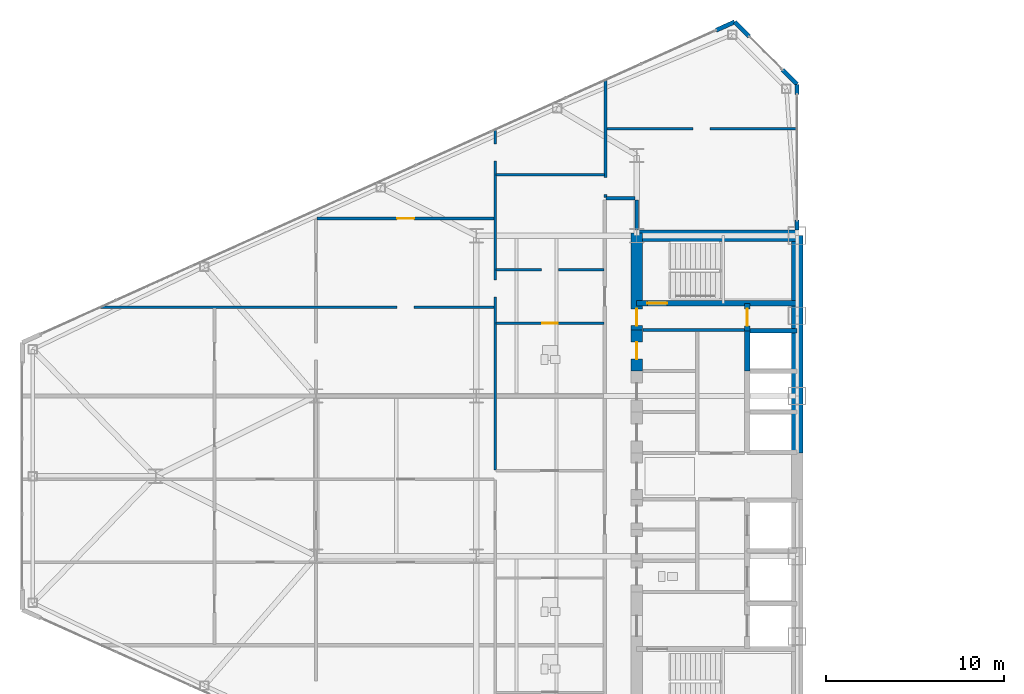
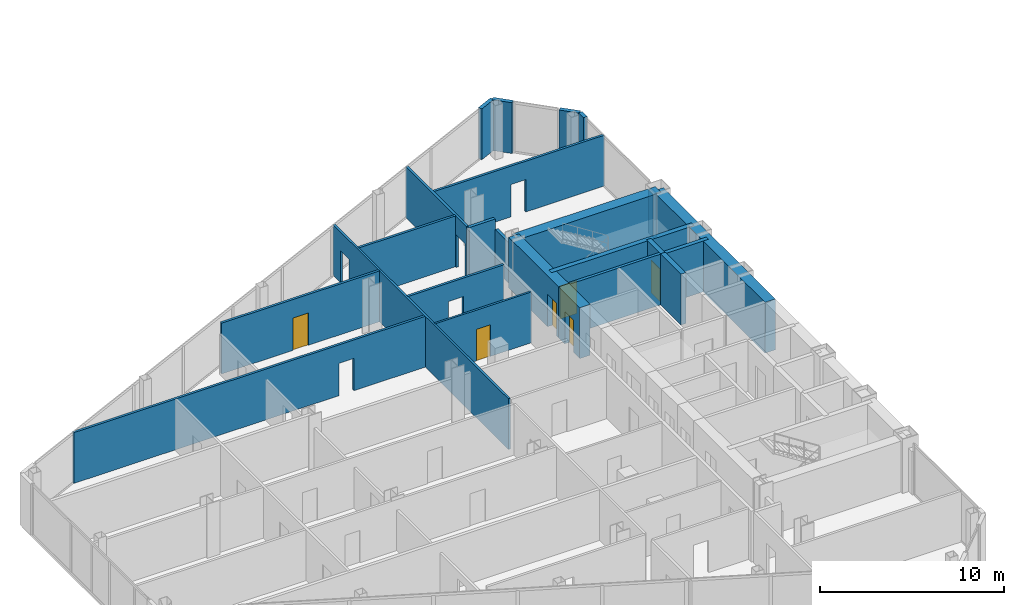
# One storey, part 21 of 27: 24 walls, 6 doors, 12 openings.
"""IFC4 building model written with IfcOpenShell, lengths in metres."""

from ifc_helpers import new_model, si_unit, direction, frame, frame_2d, origin, place, context, subcontext, project, spatial, rectangle, extrude, source, transform, mapped, material, layer, layer_set, type_object, type_shapes, element, fill, save


model = new_model("IFC4")

# Units and contexts
model_context = context("Model", 3, precision=1e-05, world=origin(), true_north=direction((0.0, 1.0)))
body_context = subcontext(model_context, "Body", "Model", "MODEL_VIEW")
ifc_project = project(units=[si_unit("LENGTHUNIT", "METRE"), si_unit("AREAUNIT", "SQUARE_METRE"), si_unit("VOLUMEUNIT", "CUBIC_METRE"), si_unit("PLANEANGLEUNIT", "RADIAN"), si_unit("MASSUNIT", "GRAM", prefix="KILO")], contexts=[model_context])

# Site, building, storey
site_placement = place(None, origin())
site = spatial("IfcSite", under=ifc_project, at=site_placement, CompositionType="ELEMENT")
building_placement = place(site_placement, origin())
building = spatial("IfcBuilding", under=site, at=building_placement, Name="Seokmaru Belvedere", CompositionType="ELEMENT")
storey_placement = place(building_placement, frame((0.0, 0.0, 76.5)))
storey = spatial("IfcBuildingStorey", under=building, at=storey_placement, Name="L20", CompositionType="ELEMENT", Elevation=76.5)

# Wall, opening
ifc_material_1 = material(Name="Fire-Rated Gypsum Shaftwall")
ifc_layer_1 = layer(ifc_material_1, 0.14990234375)
ifc_layer_set_1 = layer_set([ifc_layer_1], Name="Fire-Rated Gypsum Shaftwall")
wall_type_1 = type_object("IfcWallType", Name="Apartment Fire-Acoustic Room Partition 150", PredefinedType="PARTITIONING", material=ifc_layer_set_1)
wall_1_placement = place(storey_placement, frame((-66.62890625, 9.47998046875, 0.0), z_axis=(0.0, 0.0, 1.0), x_axis=(1.0, 0.0, 0.0)))
wall_1 = element("IfcWall", 1, at=wall_1_placement, inside=storey, type_object=wall_type_1, Name="L20 Interior Partition 021", PredefinedType="PARTITIONING", context=body_context, shape_type="SweptSolid", body=[
    extrude(rectangle(XDim=22.12890625, YDim=0.14990234375, at=frame_2d((11.064453125, 0.0))), origin(), (0.0, 0.0, 1.0), 3.3798828125),
])
opening_1_placement = place(wall_1_placement, frame((16.678955078125, 0.0, 0.0)))
element("IfcOpeningElement", 2, at=opening_1_placement, cuts=wall_1, Name="L20 Cased Opening 026", PredefinedType="OPENING", context=body_context, shape_type="SweptSolid", body=[
    extrude(rectangle(XDim=0.949951171875, YDim=2.14990234375, at=frame_2d((0.47509765625, 1.074951171875))), frame((0.0, 0.0849609375, 0.0), z_axis=(0.0, -1.0, 0.0), x_axis=(1.0, 0.0, 0.0)), (0.0, 0.0, 1.0), 0.169921875),
])

wall_2_placement = place(storey_placement, frame((-44.39990234375, 11.580078125, 0.0), z_axis=(0.0, 0.0, 1.0), x_axis=(1.0, 0.0, 0.0)))
wall_2 = element("IfcWall", 3, at=wall_2_placement, inside=storey, type_object=wall_type_1, Name="L20 Interior Partition 023", PredefinedType="PARTITIONING", context=body_context, shape_type="SweptSolid", body=[
    extrude(rectangle(XDim=6.0498046875, YDim=0.14990234375, at=frame_2d((3.02490234375, 0.0))), origin(), (0.0, 0.0, 1.0), 3.3798828125),
])
opening_2_placement = place(wall_2_placement, frame((2.550048828125, 0.0, 0.0)))
element("IfcOpeningElement", 4, at=opening_2_placement, cuts=wall_2, Name="L20 Cased Opening 023", PredefinedType="OPENING", context=body_context, shape_type="SweptSolid", body=[
    extrude(rectangle(XDim=0.949951171875, YDim=2.14990234375, at=frame_2d((0.47509765625, 1.074951171875))), frame((0.0, 0.0849609375, 0.0), z_axis=(0.0, -1.0, 0.0), x_axis=(1.0, 0.0, 0.0)), (0.0, 0.0, 1.0), 0.169921875),
])

# Wall, opening, door
wall_3_placement = place(storey_placement, frame((-54.449951171875, 14.4599609375, 0.0), z_axis=(0.0, 0.0, 1.0), x_axis=(1.0, 0.0, 0.0)))
wall_3 = element("IfcWall", 5, at=wall_3_placement, inside=storey, type_object=wall_type_1, Name="L20 Interior Partition 025", PredefinedType="PARTITIONING", context=body_context, shape_type="SweptSolid", body=[
    extrude(rectangle(XDim=9.949951171875, YDim=0.14990234375, at=frame_2d((4.97509765625, 0.0))), origin(), (0.0, 0.0, 1.0), 3.3798828125),
])
opening_3_placement = place(wall_3_placement, frame((4.5, 0.0, 0.0)))
opening_3 = element("IfcOpeningElement", 6, at=opening_3_placement, cuts=wall_3, Name="Opening D05", PredefinedType="OPENING", context=body_context, shape_type="SweptSolid", body=[
    extrude(rectangle(XDim=0.949951171875, YDim=2.14990234375, at=frame_2d((0.47509765625, 1.074951171875))), frame((0.0, 0.0849609375, 0.0), z_axis=(0.0, -1.0, 0.0), x_axis=(1.0, 0.0, 0.0)), (0.0, 0.0, 1.0), 0.169921875),
])
ifc_material_2 = material(Name="Engineered White Oak Timber", Category="wood")
door_type_1 = type_object("IfcDoorType", Name="Apartment Interior Fire-Rated Oak Door 950x2150", OperationType="NOTDEFINED", PredefinedType="DOOR", material=ifc_material_2)
shared_shape_1 = source(origin(), body_context, "Body", "SweptSolid", [
    extrude(rectangle(XDim=0.949951171875, YDim=2.14990234375, at=frame_2d((0.47509765625, 1.074951171875))), frame((0.0, 0.02490234375, 0.0), z_axis=(0.0, -1.0, 0.0), x_axis=(1.0, 0.0, 0.0)), (0.0, 0.0, 1.0), 0.050048828125),
])
type_shapes(door_type_1, [shared_shape_1])
door_1_placement = place(opening_3_placement, origin())
door_1 = element("IfcDoor", 7, at=door_1_placement, inside=storey, type_object=door_type_1, Name="L20 Interior Door 027", OperationType="SINGLE_SWING_RIGHT", OverallHeight=2.14990234375, OverallWidth=0.949951171875, PredefinedType="DOOR", context=body_context, shape_type="MappedRepresentation", body=[
    mapped(shared_shape_1, transform((0.0, 0.0, 0.0), scale=1.0)),
])
fill(opening_3, door_1)

# Wall
wall_4_placement = place(storey_placement, frame((-44.39990234375, 16.909912109375, 0.0), z_axis=(0.0, 0.0, 1.0), x_axis=(1.0, 0.0, 0.0)))
element("IfcWall", 8, at=wall_4_placement, inside=storey, type_object=wall_type_1, Name="L20 Interior Partition 030", PredefinedType="PARTITIONING", context=body_context, shape_type="SweptSolid", body=[
    extrude(rectangle(XDim=6.099853515625, YDim=0.14990234375, at=frame_2d((3.0498046875, 0.0))), origin(), (0.0, 0.0, 1.0), 3.3798828125),
])

# Wall, opening
wall_5_placement = place(storey_placement, frame((-38.199951171875, 19.5, 0.0), z_axis=(0.0, 0.0, 1.0), x_axis=(1.0, 0.0, 0.0)))
wall_5 = element("IfcWall", 9, at=wall_5_placement, inside=storey, type_object=wall_type_1, Name="L20 Interior Partition 031", PredefinedType="PARTITIONING", context=body_context, shape_type="SweptSolid", body=[
    extrude(rectangle(XDim=10.73486328125, YDim=0.14990234375, at=frame_2d((5.367431640625, 0.0))), origin(), (0.0, 0.0, 1.0), 3.3798828125),
])
opening_4_placement = place(wall_5_placement, frame((4.85009765625, 0.0, 0.0)))
element("IfcOpeningElement", 10, at=opening_4_placement, cuts=wall_5, Name="L20 Cased Opening 032", PredefinedType="OPENING", context=body_context, shape_type="SweptSolid", body=[
    extrude(rectangle(XDim=0.949951171875, YDim=2.14990234375, at=frame_2d((0.47509765625, 1.074951171875))), frame((0.0, 0.0849609375, 0.0), z_axis=(0.0, -1.0, 0.0), x_axis=(1.0, 0.0, 0.0)), (0.0, 0.0, 1.0), 0.169921875),
])

wall_6_placement = place(storey_placement, frame((-38.25, 15.64990234375, 0.0), z_axis=(0.0, 0.0, 1.0), x_axis=(0.0, 1.0, 0.0)))
wall_6 = element("IfcWall", 11, at=wall_6_placement, inside=storey, type_object=wall_type_1, Name="L20 Interior Partition 040", PredefinedType="PARTITIONING", context=body_context, shape_type="SweptSolid", body=[
    extrude(rectangle(XDim=6.623046875, YDim=0.14990234375, at=frame_2d((3.3115234375, 0.0))), origin(), (0.0, 0.0, 1.0), 3.3798828125),
])
opening_5_placement = place(wall_6_placement, frame((0.159912109375, 0.0, 0.0)))
element("IfcOpeningElement", 12, at=opening_5_placement, cuts=wall_6, Name="L20 Cased Opening 031", PredefinedType="OPENING", context=body_context, shape_type="SweptSolid", body=[
    extrude(rectangle(XDim=0.949951171875, YDim=2.14990234375, at=frame_2d((0.47509765625, 1.074951171875))), frame((0.0, 0.0849609375, 0.0), z_axis=(0.0, -1.0, 0.0), x_axis=(1.0, 0.0, 0.0)), (0.0, 0.0, 1.0), 0.169921875),
])

# Walls
ifc_layer_2 = layer(ifc_material_1, 0.179931640625)
ifc_layer_set_2 = layer_set([ifc_layer_2], Name="Fire-Rated Gypsum Shaftwall")
wall_type_2 = type_object("IfcWallType", Name="Core Service Fire Partition 180", PredefinedType="PARTITIONING", material=ifc_layer_set_2)
wall_7_placement = place(storey_placement, frame((-36.14990234375, 8.199951171875, 0.0), z_axis=(0.0, 0.0, 1.0), x_axis=(1.0, 0.0, 0.0)))
element("IfcWall", 13, at=wall_7_placement, inside=storey, type_object=wall_type_2, Name="L20 West Smokeproof Vestibule Partition", PredefinedType="PARTITIONING", context=body_context, shape_type="SweptSolid", body=[
    extrude(rectangle(XDim=5.699951171875, YDim=0.179931640625, at=frame_2d((2.85009765625, 0.0))), origin(), (0.0, 0.0, 1.0), 3.3798828125),
])
ifc_material_3 = material(Name="Concrete C50 (50 MPa)", Category="concrete")
ifc_layer_3 = layer(ifc_material_3, 0.25)
ifc_layer_set_3 = layer_set([ifc_layer_3], Name="Concrete C50 (50 MPa)")
wall_type_3 = type_object("IfcWallType", Name="Hoistway Transverse Concrete Divider Wall 250", PredefinedType="SHEAR", material=ifc_layer_set_3)
wall_8_placement = place(storey_placement, frame((-30.300048828125, 8.14990234375, 0.0), z_axis=(0.0, 0.0, 1.0), x_axis=(1.0, 0.0, 0.0)))
element("IfcWall", 14, at=wall_8_placement, inside=storey, type_object=wall_type_3, Name="L20 West Hoistway Divider Core Wall 7", PredefinedType="SHEAR", context=body_context, shape_type="SweptSolid", body=[
    extrude(rectangle(XDim=2.800048828125, YDim=0.25, at=frame_2d((1.39990234375, 0.0))), origin(), (0.0, 0.0, 1.0), 3.3798828125),
])
ifc_layer_4 = layer(ifc_material_1, 0.199951171875)
ifc_layer_set_4 = layer_set([ifc_layer_4], Name="Fire-Rated Gypsum Shaftwall")
wall_type_4 = type_object("IfcWallType", Name="Inter-Tenancy Fire Compartment Partition 200", PredefinedType="PARTITIONING", material=ifc_layer_set_4)
wall_9_placement = place(storey_placement, frame((-38.215087890625, 15.60009765625, 0.0), z_axis=(0.0, 0.0, 1.0), x_axis=(1.0, 0.0, 0.0)))
element("IfcWall", 15, at=wall_9_placement, inside=storey, type_object=wall_type_4, Name="L20 Interior Partition 027", PredefinedType="PARTITIONING", context=body_context, shape_type="SweptSolid", body=[
    extrude(rectangle(XDim=1.630126953125, YDim=0.199951171875, at=frame_2d((0.81494140625, 0.0))), origin(), (0.0, 0.0, 1.0), 3.3798828125),
])
wall_10_placement = place(storey_placement, frame((-36.5, 13.830078125, 0.0), z_axis=(0.0, 0.0, 1.0), x_axis=(0.0, 1.0, 0.0)))
element("IfcWall", 16, at=wall_10_placement, inside=storey, type_object=wall_type_4, Name="L20 Interior Partition 042", PredefinedType="PARTITIONING", context=body_context, shape_type="SweptSolid", body=[
    extrude(rectangle(XDim=1.684814453125, YDim=0.199951171875, at=frame_2d((0.84228515625, 0.0))), origin(), (0.0, 0.0, 1.0), 2.679931640625),
])

# Wall, opening, door
ifc_layer_5 = layer(ifc_material_3, 0.300048828125)
ifc_layer_set_5 = layer_set([ifc_layer_5], Name="Concrete C50 (50 MPa)")
wall_type_5 = type_object("IfcWallType", Name="Internal Core Stair and Hoistway Wall 300", PredefinedType="SHEAR", material=ifc_layer_set_5)
wall_11_placement = place(storey_placement, frame((-36.5, 9.699951171875, 0.0), z_axis=(0.0, 0.0, 1.0), x_axis=(1.0, 0.0, 0.0)))
wall_11 = element("IfcWall", 17, at=wall_11_placement, inside=storey, type_object=wall_type_5, Name="L20 West Stair ST-2 Enclosure Wall", PredefinedType="SHEAR", context=body_context, shape_type="SweptSolid", body=[
    extrude(rectangle(XDim=9.0, YDim=0.300048828125, at=frame_2d((4.5, 0.0))), origin(), (0.0, 0.0, 1.0), 3.3798828125),
])
opening_6_placement = place(wall_11_placement, frame((0.60009765625, 0.0, 0.0)))
opening_6 = element("IfcOpeningElement", 18, at=opening_6_placement, cuts=wall_11, Name="Opening D01", PredefinedType="OPENING", context=body_context, shape_type="SweptSolid", body=[
    extrude(rectangle(XDim=1.10009765625, YDim=2.199951171875, at=frame_2d((0.550048828125, 1.10009765625))), frame((0.0, 0.16015625, 0.0), z_axis=(0.0, -1.0, 0.0), x_axis=(1.0, 0.0, 0.0)), (0.0, 0.0, 1.0), 0.320068359375),
])
ifc_material_4 = material(Name="Fire-Rated Steel Leaf", Category="steel")
door_type_2 = type_object("IfcDoorType", Name="Special Escape Stair Smokeproof Fire Door 1100x2200", OperationType="NOTDEFINED", PredefinedType="DOOR", material=ifc_material_4)
shared_shape_2 = source(origin(), body_context, "Body", "SweptSolid", [
    extrude(rectangle(XDim=1.10009765625, YDim=2.199951171875, at=frame_2d((0.550048828125, 1.10009765625))), frame((0.0, 0.02490234375, 0.0), z_axis=(0.0, -1.0, 0.0), x_axis=(1.0, 0.0, 0.0)), (0.0, 0.0, 1.0), 0.050048828125),
])
type_shapes(door_type_2, [shared_shape_2])
door_2_placement = place(opening_6_placement, origin())
door_2 = element("IfcDoor", 19, at=door_2_placement, inside=storey, type_object=door_type_2, Name="L20 West Special Escape Stair ST-2 Door", OperationType="SINGLE_SWING_RIGHT", OverallHeight=2.199951171875, OverallWidth=1.10009765625, PredefinedType="DOOR", context=body_context, shape_type="MappedRepresentation", body=[
    mapped(shared_shape_2, transform((0.0, 0.0, 0.0), scale=1.0)),
])
fill(opening_6, door_2)

# Wall
wall_12_placement = place(storey_placement, frame((-30.300048828125, 5.89990234375, 0.0), z_axis=(0.0, 0.0, 1.0), x_axis=(0.0, 1.0, 0.0)))
element("IfcWall", 20, at=wall_12_placement, inside=storey, type_object=wall_type_5, Name="L20 West North Hoistway Wall OBS", PredefinedType="SHEAR", context=body_context, shape_type="SweptSolid", body=[
    extrude(rectangle(XDim=2.25, YDim=0.300048828125, at=frame_2d((1.125, 0.0))), origin(), (0.0, 0.0, 1.0), 3.3798828125),
])

# Wall, opening, door
wall_13_placement = place(storey_placement, frame((-30.300048828125, 8.14990234375, 0.0), z_axis=(0.0, 0.0, 1.0), x_axis=(0.0, 1.0, 0.0)))
wall_13 = element("IfcWall", 21, at=wall_13_placement, inside=storey, type_object=wall_type_5, Name="L20 West Electrical Riser Front Wall", PredefinedType="SHEAR", context=body_context, shape_type="SweptSolid", body=[
    extrude(rectangle(XDim=1.530029296875, YDim=0.300048828125, at=frame_2d((0.76513671875, 0.0))), origin(), (0.0, 0.0, 1.0), 3.3798828125),
])
opening_7_placement = place(wall_13_placement, frame((0.284912109375, 0.0, 0.0)))
opening_7 = element("IfcOpeningElement", 22, at=opening_7_placement, cuts=wall_13, Name="Opening D04", PredefinedType="OPENING", context=body_context, shape_type="SweptSolid", body=[
    extrude(rectangle(XDim=0.949951171875, YDim=2.14990234375, at=frame_2d((0.47509765625, 1.074951171875))), frame((0.0, 0.16015625, 0.0), z_axis=(0.0, -1.0, 0.0), x_axis=(1.0, 0.0, 0.0)), (0.0, 0.0, 1.0), 0.320068359375),
])
door_type_3 = type_object("IfcDoorType", Name="Core Service Room Fire Door 950x2150", OperationType="NOTDEFINED", PredefinedType="DOOR", material=ifc_material_4)
shared_shape_3 = source(origin(), body_context, "Body", "SweptSolid", [
    extrude(rectangle(XDim=0.949951171875, YDim=2.14990234375, at=frame_2d((0.47509765625, 1.074951171875))), frame((0.0, 0.02490234375, 0.0), z_axis=(0.0, -1.0, 0.0), x_axis=(1.0, 0.0, 0.0)), (0.0, 0.0, 1.0), 0.050048828125),
])
type_shapes(door_type_3, [shared_shape_3])
door_3_placement = place(opening_7_placement, origin())
door_3 = element("IfcDoor", 23, at=door_3_placement, inside=storey, type_object=door_type_3, Name="L20 West Electrical Riser Access Door", OperationType="SINGLE_SWING_LEFT", OverallHeight=2.14990234375, OverallWidth=0.949951171875, PredefinedType="DOOR", context=body_context, shape_type="MappedRepresentation", body=[
    mapped(shared_shape_3, transform((0.0, 0.0, 0.0), scale=1.0)),
])
fill(opening_7, door_3)

# Walls
ifc_material_5 = material(Name="Concrete C60 (60 MPa)", Category="concrete")
ifc_layer_6 = layer(ifc_material_5, 0.64990234375)
ifc_layer_set_6 = layer_set([ifc_layer_6], Name="Concrete C60 (60 MPa)")
wall_type_6 = type_object("IfcWallType", Name="Mid-Low Reinforced Concrete Core Wall 650", PredefinedType="SHEAR", material=ifc_layer_set_6)
wall_14_placement = place(storey_placement, frame((-27.5, 1.300048828125, 0.0), z_axis=(0.0, 0.0, 1.0), x_axis=(0.0, 1.0, 0.0)))
element("IfcWall", 24, at=wall_14_placement, inside=storey, type_object=wall_type_6, Name="L20 West Portal Spine Core Wall North", PredefinedType="SHEAR", context=body_context, shape_type="SweptSolid", body=[
    extrude(rectangle(XDim=12.199951171875, YDim=0.64990234375, at=frame_2d((6.10009765625, 0.0))), origin(), (0.0, 0.0, 1.0), 3.3798828125),
])
wall_15_placement = place(storey_placement, frame((-36.5, 13.5, 0.0), z_axis=(0.0, 0.0, 1.0), x_axis=(1.0, 0.0, 0.0)))
element("IfcWall", 25, at=wall_15_placement, inside=storey, type_object=wall_type_6, Name="L20 West North Core Wall", PredefinedType="SHEAR", context=body_context, shape_type="SweptSolid", body=[
    extrude(rectangle(XDim=9.0, YDim=0.64990234375, at=frame_2d((4.5, 0.0))), origin(), (0.0, 0.0, 1.0), 3.3798828125),
])

# Wall, opening, door
wall_16_placement = place(storey_placement, frame((-36.5, 8.199951171875, 0.0), z_axis=(0.0, 0.0, 1.0), x_axis=(0.0, 1.0, 0.0)))
wall_16 = element("IfcWall", 26, at=wall_16_placement, inside=storey, type_object=wall_type_6, Name="L20 West West Core Wall VST", PredefinedType="SHEAR", context=body_context, shape_type="SweptSolid", body=[
    extrude(rectangle(XDim=5.449951171875, YDim=0.64990234375, at=frame_2d((2.72509765625, 0.0))), origin(), (0.0, 0.0, 1.0), 3.3798828125),
])
opening_8_placement = place(wall_16_placement, frame((0.2451171875, 0.0, 0.0)))
opening_8 = element("IfcOpeningElement", 27, at=opening_8_placement, cuts=wall_16, Name="Opening D04", PredefinedType="OPENING", context=body_context, shape_type="SweptSolid", body=[
    extrude(rectangle(XDim=0.949951171875, YDim=2.14990234375, at=frame_2d((0.47509765625, 1.074951171875))), frame((0.0, 0.3349609375, 0.0), z_axis=(0.0, -1.0, 0.0), x_axis=(1.0, 0.0, 0.0)), (0.0, 0.0, 1.0), 0.669921875),
])
door_4_placement = place(opening_8_placement, frame((0.949951171875, 0.0, 0.0), z_axis=(0.0, 0.0, 1.0), x_axis=(-1.0, 0.0, 0.0)))
door_4 = element("IfcDoor", 28, at=door_4_placement, inside=storey, type_object=door_type_3, Name="L20 West Smokeproof Vestibule Door", OperationType="SINGLE_SWING_RIGHT", OverallHeight=2.14990234375, OverallWidth=0.949951171875, PredefinedType="DOOR", context=body_context, shape_type="MappedRepresentation", body=[
    mapped(shared_shape_3, transform((0.0, 0.0, 0.0), scale=1.0)),
])
fill(opening_8, door_4)

wall_17_placement = place(storey_placement, frame((-36.5, 5.89990234375, 0.0), z_axis=(0.0, 0.0, 1.0), x_axis=(0.0, 1.0, 0.0)))
wall_17 = element("IfcWall", 29, at=wall_17_placement, inside=storey, type_object=wall_type_6, Name="L20 West West Core Wall CS6", PredefinedType="SHEAR", context=body_context, shape_type="SweptSolid", body=[
    extrude(rectangle(XDim=2.300048828125, YDim=0.64990234375, at=frame_2d((1.14990234375, 0.0))), origin(), (0.0, 0.0, 1.0), 3.3798828125),
])
opening_9_placement = place(wall_17_placement, frame((0.675048828125, 0.0, 0.0)))
opening_9 = element("IfcOpeningElement", 30, at=opening_9_placement, cuts=wall_17, Name="Opening D04", PredefinedType="OPENING", context=body_context, shape_type="SweptSolid", body=[
    extrude(rectangle(XDim=0.949951171875, YDim=2.14990234375, at=frame_2d((0.47509765625, 1.074951171875))), frame((0.0, 0.3349609375, 0.0), z_axis=(0.0, -1.0, 0.0), x_axis=(1.0, 0.0, 0.0)), (0.0, 0.0, 1.0), 0.669921875),
])
door_5_placement = place(opening_9_placement, origin())
door_5 = element("IfcDoor", 31, at=door_5_placement, inside=storey, type_object=door_type_3, Name="L20 West Core Service Room Door 6", OperationType="SINGLE_SWING_RIGHT", OverallHeight=2.14990234375, OverallWidth=0.949951171875, PredefinedType="DOOR", context=body_context, shape_type="MappedRepresentation", body=[
    mapped(shared_shape_3, transform((0.0, 0.0, 0.0), scale=1.0)),
])
fill(opening_9, door_5)

ifc_layer_7 = layer(ifc_material_1, 0.1298828125)
ifc_layer_set_7 = layer_set([ifc_layer_7], Name="Fire-Rated Gypsum Shaftwall")
wall_type_7 = type_object("IfcWallType", Name="Moisture-Resistant Fire-Rated Bathroom Partition 130", PredefinedType="PARTITIONING", material=ifc_layer_set_7)
wall_18_placement = place(storey_placement, frame((-44.39990234375, 8.580078125, 0.0), z_axis=(0.0, 0.0, 1.0), x_axis=(1.0, 0.0, 0.0)))
wall_18 = element("IfcWall", 32, at=wall_18_placement, inside=storey, type_object=wall_type_7, Name="L20 Interior Partition 019", PredefinedType="PARTITIONING", context=body_context, shape_type="SweptSolid", body=[
    extrude(rectangle(XDim=6.0498046875, YDim=0.1298828125, at=frame_2d((3.02490234375, 0.0))), origin(), (0.0, 0.0, 1.0), 3.3798828125),
])
opening_10_placement = place(wall_18_placement, frame((2.5849609375, 0.0, 0.0)))
opening_10 = element("IfcOpeningElement", 33, at=opening_10_placement, cuts=wall_18, Name="Opening D06", PredefinedType="OPENING", context=body_context, shape_type="SweptSolid", body=[
    extrude(rectangle(XDim=0.8798828125, YDim=2.10009765625, at=frame_2d((0.43994140625, 1.050048828125))), frame((0.0, 0.074951171875, 0.0), z_axis=(0.0, -1.0, 0.0), x_axis=(1.0, 0.0, 0.0)), (0.0, 0.0, 1.0), 0.14990234375),
])
door_type_4 = type_object("IfcDoorType", Name="Bathroom and Restroom Fire-Rated Door 880x2100", OperationType="NOTDEFINED", PredefinedType="DOOR", material=ifc_material_2)
shared_shape_4 = source(origin(), body_context, "Body", "SweptSolid", [
    extrude(rectangle(XDim=0.8798828125, YDim=2.10009765625, at=frame_2d((0.43994140625, 1.050048828125))), frame((0.0, 0.02490234375, 0.0), z_axis=(0.0, -1.0, 0.0), x_axis=(1.0, 0.0, 0.0)), (0.0, 0.0, 1.0), 0.050048828125),
])
type_shapes(door_type_4, [shared_shape_4])
door_6_placement = place(opening_10_placement, origin())
door_6 = element("IfcDoor", 34, at=door_6_placement, inside=storey, type_object=door_type_4, Name="L20 Interior Door 022", OperationType="SINGLE_SWING_LEFT", OverallHeight=2.10009765625, OverallWidth=0.8798828125, PredefinedType="DOOR", context=body_context, shape_type="MappedRepresentation", body=[
    mapped(shared_shape_4, transform((0.0, 0.0, 0.0), scale=1.0)),
])
fill(opening_10, door_6)

# Wall, openings
wall_19_placement = place(storey_placement, frame((-44.449951171875, 0.35205078125, 0.0), z_axis=(0.0, 0.0, 1.0), x_axis=(0.0, 1.0, 0.0)))
wall_19 = element("IfcWall", 35, at=wall_19_placement, inside=storey, type_object=wall_type_7, Name="L20 Interior Partition 037", PredefinedType="PARTITIONING", context=body_context, shape_type="SweptSolid", body=[
    extrude(rectangle(XDim=19.130859375, YDim=0.1298828125, at=frame_2d((9.5654296875, 0.0))), origin(), (0.0, 0.0, 1.0), 3.3798828125),
])
opening_11_placement = place(wall_19_placement, frame((9.702880859375, 0.0, 0.0)))
element("IfcOpeningElement", 36, at=opening_11_placement, cuts=wall_19, Name="L20 Cased Opening 024", PredefinedType="OPENING", context=body_context, shape_type="SweptSolid", body=[
    extrude(rectangle(XDim=0.949951171875, YDim=2.14990234375, at=frame_2d((0.47509765625, 1.074951171875))), frame((0.0, 0.074951171875, 0.0), z_axis=(0.0, -1.0, 0.0), x_axis=(1.0, 0.0, 0.0)), (0.0, 0.0, 1.0), 0.14990234375),
])
opening_12_placement = place(wall_19_placement, frame((17.3505859375, 0.0, 0.0)))
element("IfcOpeningElement", 37, at=opening_12_placement, cuts=wall_19, Name="L20 Cased Opening 030", PredefinedType="OPENING", context=body_context, shape_type="SweptSolid", body=[
    extrude(rectangle(XDim=0.949951171875, YDim=2.14990234375, at=frame_2d((0.47509765625, 1.074951171875))), frame((0.0, 0.074951171875, 0.0), z_axis=(0.0, -1.0, 0.0), x_axis=(1.0, 0.0, 0.0)), (0.0, 0.0, 1.0), 0.14990234375),
])

# Walls
ifc_material_6 = material(Name="Anodised Bronze Aluminium", Category="aluminium")
ifc_layer_8 = layer(ifc_material_6, 0.239990234375)
ifc_layer_set_8 = layer_set([ifc_layer_8], Name="Anodised Bronze Aluminium")
wall_type_8 = type_object("IfcWallType", Name="Tower Corner Spandrel Closure Wall 240", PredefinedType="SOLIDWALL", material=ifc_layer_set_8)
wall_20_placement = place(storey_placement, frame((-27.5, 13.830078125, 0.0), z_axis=(0.0, 0.0, 1.0), x_axis=(0.0, 1.0, 0.0)))
element("IfcWall", 38, at=wall_20_placement, inside=storey, type_object=wall_type_8, Name="L20 W Spine Closure Pier 2A", PredefinedType="SOLIDWALL", context=body_context, shape_type="SweptSolid", body=[
    extrude(rectangle(XDim=0.5498046875, YDim=0.239990234375, at=frame_2d((0.27490234375, 0.0))), origin(), (0.0, 0.0, 1.0), 2.8798828125),
])
wall_21_placement = place(storey_placement, frame((-27.5, 21.429931640625, 0.0), z_axis=(0.0, 0.0, 1.0), x_axis=(0.0, 1.0, 0.0)))
element("IfcWall", 39, at=wall_21_placement, inside=storey, type_object=wall_type_8, Name="L20 W Spine Closure Pier 2B", PredefinedType="SOLIDWALL", context=body_context, shape_type="SweptSolid", body=[
    extrude(rectangle(XDim=0.550048828125, YDim=0.239990234375, at=frame_2d((0.27490234375, 0.0))), origin(), (0.0, 0.0, 1.0), 3.3798828125),
])
for number, where, z_axis, x_axis, name in (
    (40, (-27.507080078125, 22.007080078125, 0.0), (0.0, 0.0, 1.0), (-0.707106781187, 0.707106781187, 0.0), "L20 W Corner Closure Pier 2A"),
    (41, (-30.186767578125, 24.686767578125, 0.0), (0.0, 0.0, 1.0), (-0.707106781187, 0.707106781187, 0.0), "L20 W Corner Closure Pier 2B"),
):
    element("IfcWall", number, at=place(storey_placement, frame(where, z_axis=z_axis, x_axis=x_axis)), inside=storey, type_object=wall_type_8, Name=name, PredefinedType="SOLIDWALL", context=body_context, shape_type="SweptSolid", body=[
        extrude(rectangle(XDim=1.14013671875, YDim=0.239990234375, at=frame_2d((0.570068359375, 0.0))), origin(), (0.0, 0.0, 1.0), 3.3798828125),
    ])
wall_22_placement = place(storey_placement, frame((-31.009033203125, 25.495849609375, 0.0), z_axis=(0.0, 0.0, 1.0), x_axis=(-0.911929519623, -0.410346866979, 0.0)))
element("IfcWall", 42, at=wall_22_placement, inside=storey, type_object=wall_type_8, Name="L20 W Corner Closure Pier 3A", PredefinedType="SOLIDWALL", context=body_context, shape_type="SweptSolid", body=[
    extrude(rectangle(XDim=1.139892578125, YDim=0.239990234375, at=frame_2d((0.56982421875, 0.0))), origin(), (0.0, 0.0, 1.0), 3.3798828125),
])

save(model, "model.ifc")
